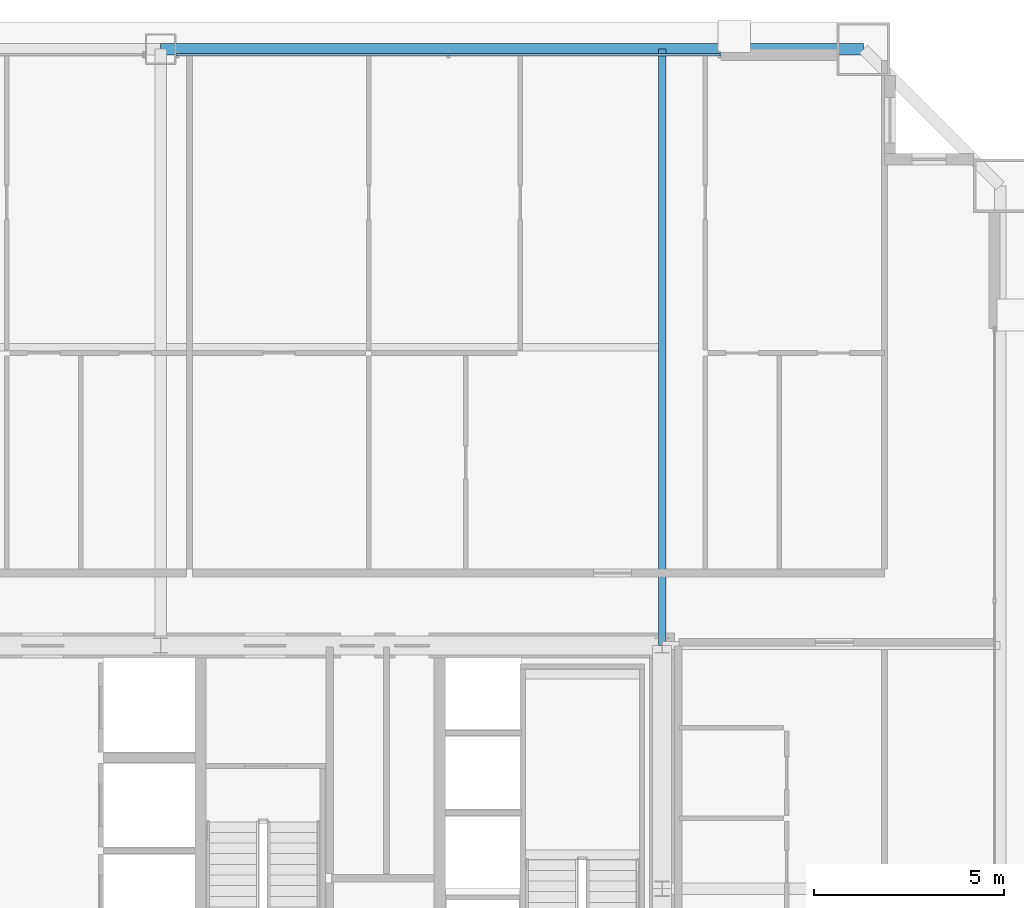
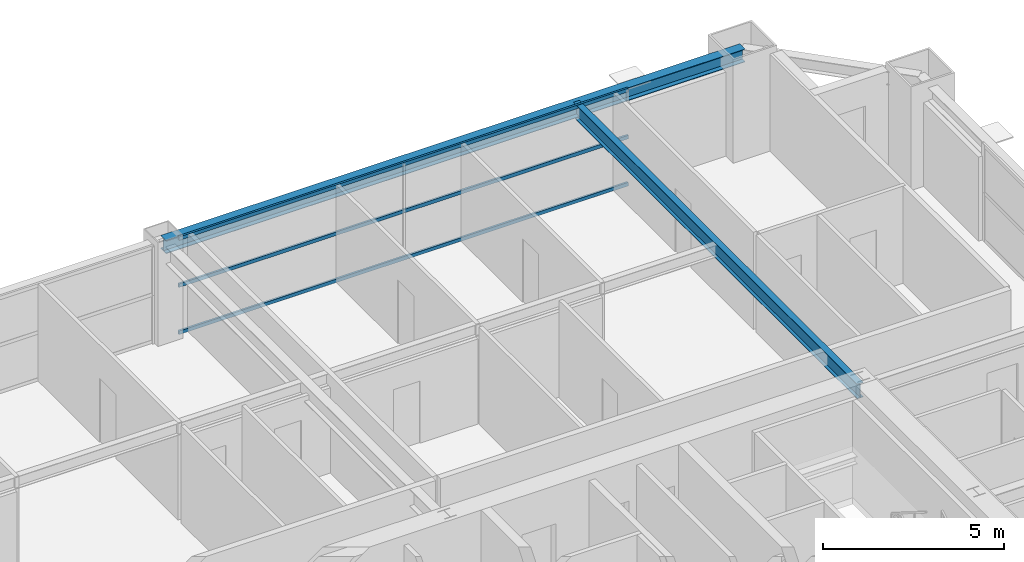
# One storey, part 30 of 38: 3 members, 2 beams, 1 element without a shape of its own.
"""IFC4 building model written with IfcOpenShell, lengths in metres."""

from ifc_helpers import new_model, si_unit, direction, frame, origin, origin_2d, place, context, subcontext, project, spatial, hollow_rectangle, i_section, extrude, source, transform, mapped, material, layer, layer_set, material_profile, profile_set, type_object, element, aggregate, save


model = new_model("IFC4")

# Units and contexts
model_context = context("Model", 3, precision=1e-05, world=origin(), true_north=direction((0.0, 1.0)))
body_context = subcontext(model_context, "Body", "Model", "MODEL_VIEW")
ifc_project = project(units=[si_unit("LENGTHUNIT", "METRE"), si_unit("AREAUNIT", "SQUARE_METRE"), si_unit("VOLUMEUNIT", "CUBIC_METRE"), si_unit("PLANEANGLEUNIT", "RADIAN"), si_unit("MASSUNIT", "GRAM", prefix="KILO"), si_unit("THERMODYNAMICTEMPERATUREUNIT", "KELVIN"), si_unit("POWERUNIT", "WATT")], contexts=[model_context])

# Site, building, storey
site_placement = place(None, origin())
site = spatial("IfcSite", under=ifc_project, at=site_placement, CompositionType="ELEMENT")
building_placement = place(site_placement, origin())
building = spatial("IfcBuilding", under=site, at=building_placement, Name="Yuzanri Waterfront Tower", CompositionType="ELEMENT")
storey_placement = place(building_placement, frame((0.0, 0.0, 195.0)))
storey = spatial("IfcBuildingStorey", under=building, at=storey_placement, Name="L51", CompositionType="ELEMENT", Elevation=195.0)

# Beams
ifc_material_1 = material(Name="Steel Q355B", Category="steel")
ifc_material_profile_1 = material_profile(ifc_material_1, i_section(OverallWidth=0.300048828125, OverallDepth=0.43994140625, WebThickness=0.010986328125, FlangeThickness=0.01806640625, at=origin_2d()), Name="HM 440x300x11x18")
ifc_profile_set_1 = profile_set([ifc_material_profile_1], Name="Steel Q355B")
beam_type_1 = type_object("IfcBeamType", Name="Perimeter Spandrel Q355B HM 440x300", PredefinedType="SPANDREL", material=ifc_profile_set_1)
shared_shape_1 = source(origin(), body_context, "Body", "SweptSolid", [
    extrude(i_section(OverallWidth=0.300048828125, OverallDepth=0.43994140625, WebThickness=0.010986328125, FlangeThickness=0.01806640625, at=origin_2d()), origin(), (0.0, 0.0, 1.0), 18.5),
])
beam_1_placement = place(storey_placement, frame((55.5, 47.89990234375, 3.06005859375), z_axis=(-1.0, 0.0, 0.0), x_axis=(0.0, -1.0, 0.0)))
element("IfcBeam", 1, at=beam_1_placement, inside=storey, type_object=beam_type_1, Name="L51 Perimeter Spandrel N3-N2", PredefinedType="SPANDREL", context=body_context, shape_type="MappedRepresentation", body=[
    mapped(shared_shape_1, transform((0.0, 0.0, 0.0), scale=1.0)),
])
ifc_material_2 = material(Name="Steel Q355B", Category="steel")
ifc_material_profile_2 = material_profile(ifc_material_2, i_section(OverallWidth=0.199951171875, OverallDepth=0.5, WebThickness=0.010009765625, FlangeThickness=0.01611328125, at=origin_2d()), Name="HN 500x200x10x16")
ifc_profile_set_2 = profile_set([ifc_material_profile_2], Name="Steel Q355B")
beam_type_2 = type_object("IfcBeamType", Name="Secondary Floor Beam Q355B HN 500x200", PredefinedType="BEAM", material=ifc_profile_set_2)
shared_shape_2 = source(origin(), body_context, "Body", "SweptSolid", [
    extrude(i_section(OverallWidth=0.199951171875, OverallDepth=0.5, WebThickness=0.010009765625, FlangeThickness=0.01611328125, at=origin_2d()), origin(), (0.0, 0.0, 1.0), 15.699951171875),
])
beam_2_placement = place(storey_placement, frame((50.199951171875, 32.199951171875, 3.030029296875), z_axis=(0.0, 1.0, 0.0), x_axis=(-1.0, 0.0, 0.0)))
element("IfcBeam", 2, at=beam_2_placement, inside=storey, type_object=beam_type_2, Name="L51 North-East Core Line Beam", PredefinedType="BEAM", context=body_context, shape_type="MappedRepresentation", body=[
    mapped(shared_shape_2, transform((0.0, 0.0, 0.0), scale=1.0)),
])

# Curtain wall, members
ifc_material_3 = material(Name="Anodized Architectural Bronze", Category="metal")
ifc_layer = layer(ifc_material_3, 0.159912109375)
ifc_layer_set = layer_set([ifc_layer], Name="Anodized Architectural Bronze")
curtain_wall_type = type_object("IfcCurtainWallType", Name="Anodized Bronze Mid-Rise Residential Acoustic Unitized Curtain Wall 7200", PredefinedType="NOTDEFINED", material=ifc_layer_set)
curtain_wall_placement = place(storey_placement, origin())
curtain_wall = element("IfcCurtainWall", 3, at=curtain_wall_placement, inside=storey, type_object=curtain_wall_type, Name="L51 Curtain Wall CW-L51-NR", PredefinedType="NOTDEFINED")
ifc_material_4 = material(Name="Anodized Architectural Bronze", Category="metal")
ifc_material_profile_3 = material_profile(ifc_material_4, hollow_rectangle(XDim=0.06494140625, YDim=0.1201171875, WallThickness=0.00341796875, at=origin_2d()), Name="CWT 65x120")
ifc_profile_set_3 = profile_set([ifc_material_profile_3], Name="Anodized Architectural Bronze")
member_type = type_object("IfcMemberType", Name="Anodized Bronze Secondary Curtain-Wall Transom 65x120", PredefinedType="USERDEFINED", material=ifc_profile_set_3)
shared_shape_3 = source(origin(), body_context, "Body", "SweptSolid", [
    extrude(hollow_rectangle(XDim=0.06494140625, YDim=0.1201171875, WallThickness=0.00341796875, at=origin_2d()), origin(), (0.0, 0.0, 1.0), 14.35009765625),
])
member_1_placement = place(storey_placement, frame((37.39990234375, 47.75, 0.050048828125), z_axis=(1.0, 0.0, 0.0), x_axis=(0.0, 1.0, 0.0)))
member_1 = element("IfcMember", 4, at=member_1_placement, type_object=member_type, Name="CW-L51-NR Transom 1", ObjectType="TRANSOM", PredefinedType="USERDEFINED", context=body_context, shape_type="MappedRepresentation", body=[
    mapped(shared_shape_3, transform((0.0, 0.0, 0.0), scale=1.0)),
])
member_2_placement = place(storey_placement, frame((37.39990234375, 47.75, 1.639892578125), z_axis=(1.0, 0.0, 0.0), x_axis=(0.0, 1.0, 0.0)))
member_2 = element("IfcMember", 5, at=member_2_placement, type_object=member_type, Name="CW-L51-NR Transom 2", ObjectType="TRANSOM", PredefinedType="USERDEFINED", context=body_context, shape_type="MappedRepresentation", body=[
    mapped(shared_shape_3, transform((0.0, 0.0, 0.0), scale=1.0)),
])
member_3_placement = place(storey_placement, frame((37.39990234375, 47.75, 3.22998046875), z_axis=(1.0, 0.0, 0.0), x_axis=(0.0, 1.0, 0.0)))
member_3 = element("IfcMember", 6, at=member_3_placement, type_object=member_type, Name="CW-L51-NR Transom 3", ObjectType="TRANSOM", PredefinedType="USERDEFINED", context=body_context, shape_type="MappedRepresentation", body=[
    mapped(shared_shape_3, transform((0.0, 0.0, 0.0), scale=1.0)),
])
aggregate(curtain_wall, [member_1, member_2, member_3])

save(model, "model.ifc")
